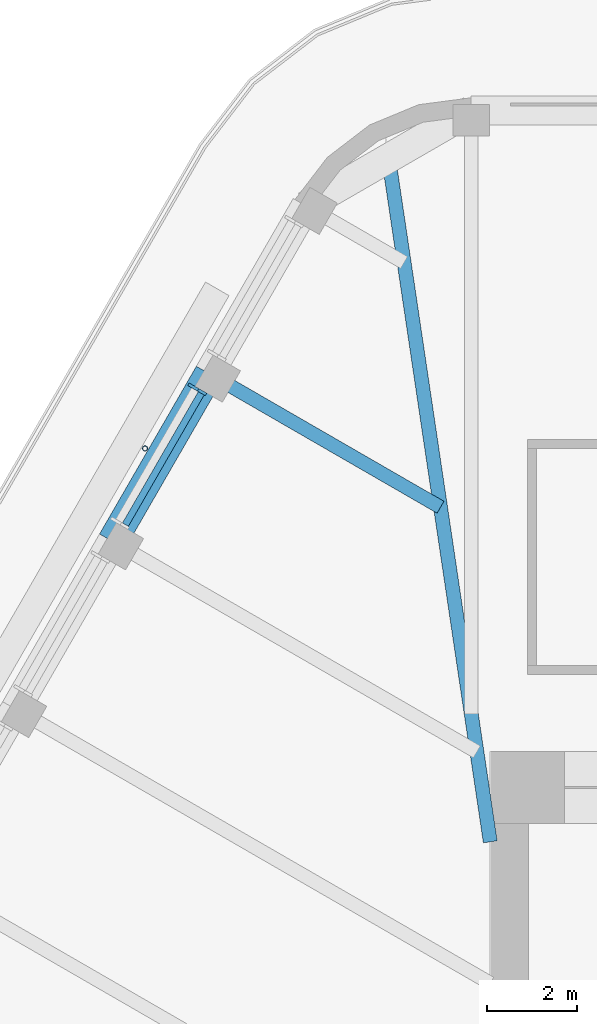
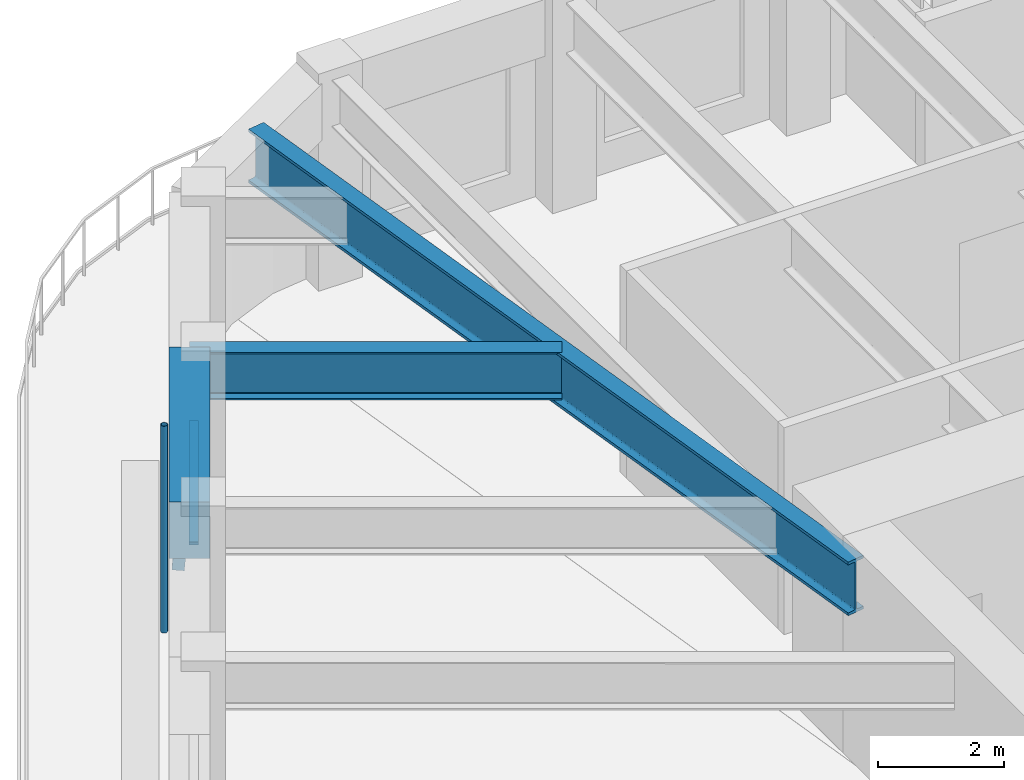
# One storey, part 8 of 19: 3 beams, 3 members, 1 element without a shape of its own.
"""IFC4 building model written with IfcOpenShell, lengths in metres."""

from ifc_helpers import new_model, si_unit, direction, frame, origin, origin_2d, place, context, subcontext, project, spatial, rectangle, hollow_circle, i_section, extrude, material, material_profile, profile_set, type_object, element, aggregate, save


model = new_model("IFC4")

# Units and contexts
model_context = context("Model", 3, precision=1e-05, world=origin(), true_north=direction((0.0, 1.0)))
body_context = subcontext(model_context, "Body", "Model", "MODEL_VIEW")
ifc_project = project(units=[si_unit("LENGTHUNIT", "METRE"), si_unit("AREAUNIT", "SQUARE_METRE"), si_unit("VOLUMEUNIT", "CUBIC_METRE"), si_unit("PLANEANGLEUNIT", "RADIAN"), si_unit("MASSUNIT", "GRAM", prefix="KILO")], contexts=[model_context])

# Site, building, storey
site_placement = place(None, origin())
site = spatial("IfcSite", under=ifc_project, at=site_placement, CompositionType="ELEMENT")
building_placement = place(site_placement, origin())
building = spatial("IfcBuilding", under=site, at=building_placement, Name="Tarfa Lantern Tower", CompositionType="ELEMENT")
storey_placement = place(building_placement, frame((0.0, 0.0, 387.10009765625)))
storey = spatial("IfcBuildingStorey", under=building, at=storey_placement, Name="L88", CompositionType="ELEMENT", Elevation=387.10009765625)

# Curtain wall, members
ifc_material_1 = material(Name="Aluminium framed curtain wall", Category="aluminium")
curtain_wall_type = type_object("IfcCurtainWallType", Name="CW4 CANTED GLAZING EXECUTIVE ZONE 2900", PredefinedType="USERDEFINED", material=ifc_material_1)
curtain_wall_placement = place(storey_placement, origin())
curtain_wall = element("IfcCurtainWall", 1, at=curtain_wall_placement, inside=storey, type_object=curtain_wall_type, Name="CW4 NW L88", ObjectType="CURTAIN WALL", PredefinedType="USERDEFINED")
ifc_material_2 = material(Name="Aluminium mullion", Category="aluminium")
ifc_material_profile_1 = material_profile(ifc_material_2, rectangle(XDim=0.06494140625, YDim=0.199951171875, at=origin_2d()), Name="AL MULLION 65x200")
ifc_profile_set_1 = profile_set([ifc_material_profile_1], Name="Aluminium mullion")
member_type_1 = type_object("IfcMemberType", Name="CWM1 MULLION 65x200", PredefinedType="MULLION", material=ifc_profile_set_1)
member_1_placement = place(storey_placement, frame((-19.013916015625, 20.3671875, 0.0), z_axis=(0.074399820079, -0.042945555672, 0.996303340364), x_axis=(0.499919672301, 0.866071776036, 0.0)))
member_1 = element("IfcMember", 2, at=member_1_placement, type_object=member_type_1, Name="CW4 mullion 1", PredefinedType="MULLION", context=body_context, shape_type="SweptSolid", body=[
    extrude(rectangle(XDim=0.06494140625, YDim=0.199951171875, at=origin_2d()), origin(), (0.0, 0.0, 1.0), 2.91064453125),
])
ifc_material_3 = material(Name="Aluminium transom", Category="aluminium")
ifc_material_profile_2 = material_profile(ifc_material_3, rectangle(XDim=0.14990234375, YDim=0.06494140625, at=origin_2d()), Name="AL TRANSOM 150x65")
ifc_profile_set_2 = profile_set([ifc_material_profile_2], Name="Aluminium transom")
member_type_2 = type_object("IfcMemberType", Name="CWT1 TRANSOM 150x65", PredefinedType="USERDEFINED", material=ifc_profile_set_2)
member_2_placement = place(storey_placement, frame((-18.81591796875, 20.21533203125, 2.867431640625), z_axis=(-0.500016677412, -0.866015774862, 0.0), x_axis=(0.866015774862, -0.500016677412, 0.0)))
member_2 = element("IfcMember", 3, at=member_2_placement, type_object=member_type_2, Name="CW4 transom 1.2", ObjectType="TRANSOM", PredefinedType="USERDEFINED", context=body_context, shape_type="SweptSolid", body=[
    extrude(rectangle(XDim=0.14990234375, YDim=0.06494140625, at=origin_2d()), origin(), (0.0, 0.0, 1.0), 3.35205078125),
])
aggregate(curtain_wall, [member_1, member_2])

# Beam
ifc_material_4 = material(Name="Concrete C80/95", Category="concrete")
ifc_material_profile_3 = material_profile(ifc_material_4, rectangle(XDim=0.64990234375, YDim=1.10009765625, at=origin_2d()), Name="RC 650x1100")
ifc_profile_set_3 = profile_set([ifc_material_profile_3], Name="Concrete C80/95")
beam_type_1 = type_object("IfcBeamType", Name="EB4 RC 650x1100", PredefinedType="SPANDREL", material=ifc_profile_set_3)
beam_1_placement = place(storey_placement, frame((-18.6416015625, 20.651611328125, 3.449951171875), z_axis=(-0.500026801138, -0.866009929587, 0.0), x_axis=(0.866009929587, -0.500026801138, 0.0)))
element("IfcBeam", 4, at=beam_1_placement, inside=storey, type_object=beam_type_1, Name="Edge beam NW1", PredefinedType="SPANDREL", context=body_context, shape_type="SweptSolid", body=[
    extrude(rectangle(XDim=0.64990234375, YDim=1.10009765625, at=origin_2d()), origin(), (0.0, 0.0, 1.0), 4.281982421875),
])

# Member
ifc_material_5 = material(Name="Steel S355", Category="steel")
ifc_material_profile_4 = material_profile(ifc_material_5, hollow_circle(Radius=0.05712890625, WallThickness=0.00634765625, at=origin_2d()), Name="CHS114.3x6.3")
ifc_profile_set_4 = profile_set([ifc_material_profile_4], Name="Steel S355")
member_type_3 = type_object("IfcMemberType", Name="TR1 GREEN WALL TRELLIS CHS114.3x6.3", PredefinedType="USERDEFINED", material=ifc_profile_set_4)
member_3_placement = place(storey_placement, frame((-20.05859375, 18.99755859375, 0.0), z_axis=(0.0, 0.0, 1.0), x_axis=(1.0, 0.0, 0.0)))
element("IfcMember", 5, at=member_3_placement, inside=storey, type_object=member_type_3, Name="Trellis post NW 1", ObjectType="TRELLIS", PredefinedType="USERDEFINED", context=body_context, shape_type="SweptSolid", body=[
    extrude(hollow_circle(Radius=0.05712890625, WallThickness=0.00634765625, at=origin_2d()), origin(), (0.0, 0.0, 1.0), 4.0),
])

# Beams
ifc_material_6 = material(Name="Steel S460M", Category="steel")
ifc_material_profile_5 = material_profile(ifc_material_6, i_section(OverallWidth=0.30859375, OverallDepth=1.036376953125, WebThickness=0.030029296875, FlangeThickness=0.05419921875, FilletRadius=0.030029296875, at=origin_2d()), Name="UB1016x305x487")
ifc_profile_set_5 = profile_set([ifc_material_profile_5], Name="Steel S460M")
beam_type_2 = type_object("IfcBeamType", Name="UB1016x305x487", PredefinedType="BEAM", material=ifc_profile_set_5)
beam_2_placement = place(storey_placement, frame((-12.425048828125, 10.300048828125, 3.481689453125), z_axis=(-0.147127069073, 0.989117599452, 0.0), x_axis=(-0.989117599452, -0.147127069073, 0.0)))
element("IfcBeam", 6, at=beam_2_placement, inside=storey, type_object=beam_type_2, Name="Hip girder NW", PredefinedType="BEAM", context=body_context, shape_type="SweptSolid", body=[
    extrude(i_section(OverallWidth=0.30859375, OverallDepth=1.036376953125, WebThickness=0.030029296875, FlangeThickness=0.05419921875, FilletRadius=0.030029296875, at=origin_2d()), origin(), (0.0, 0.0, 1.0), 15.28125),
])
ifc_material_profile_6 = material_profile(ifc_material_6, i_section(OverallWidth=0.305419921875, OverallDepth=0.91845703125, WebThickness=0.017333984375, FlangeThickness=0.02783203125, FilletRadius=0.01904296875, at=origin_2d()), Name="UB914x305x253")
ifc_profile_set_6 = profile_set([ifc_material_profile_6], Name="Steel S460M")
beam_type_3 = type_object("IfcBeamType", Name="UB914x305x253", PredefinedType="BEAM", material=ifc_profile_set_6)
beam_3_placement = place(storey_placement, frame((-18.6416015625, 20.651611328125, 3.540771484375), z_axis=(0.866024549157, -0.500001480256, 0.0), x_axis=(0.500001480256, 0.866024549157, 0.0)))
element("IfcBeam", 7, at=beam_3_placement, inside=storey, type_object=beam_type_3, Name="Floor beam NW1", PredefinedType="BEAM", context=body_context, shape_type="SweptSolid", body=[
    extrude(i_section(OverallWidth=0.305419921875, OverallDepth=0.91845703125, WebThickness=0.017333984375, FlangeThickness=0.02783203125, FilletRadius=0.01904296875, at=origin_2d()), origin(), (0.0, 0.0, 1.0), 5.90771484375),
])

save(model, "model.ifc")
